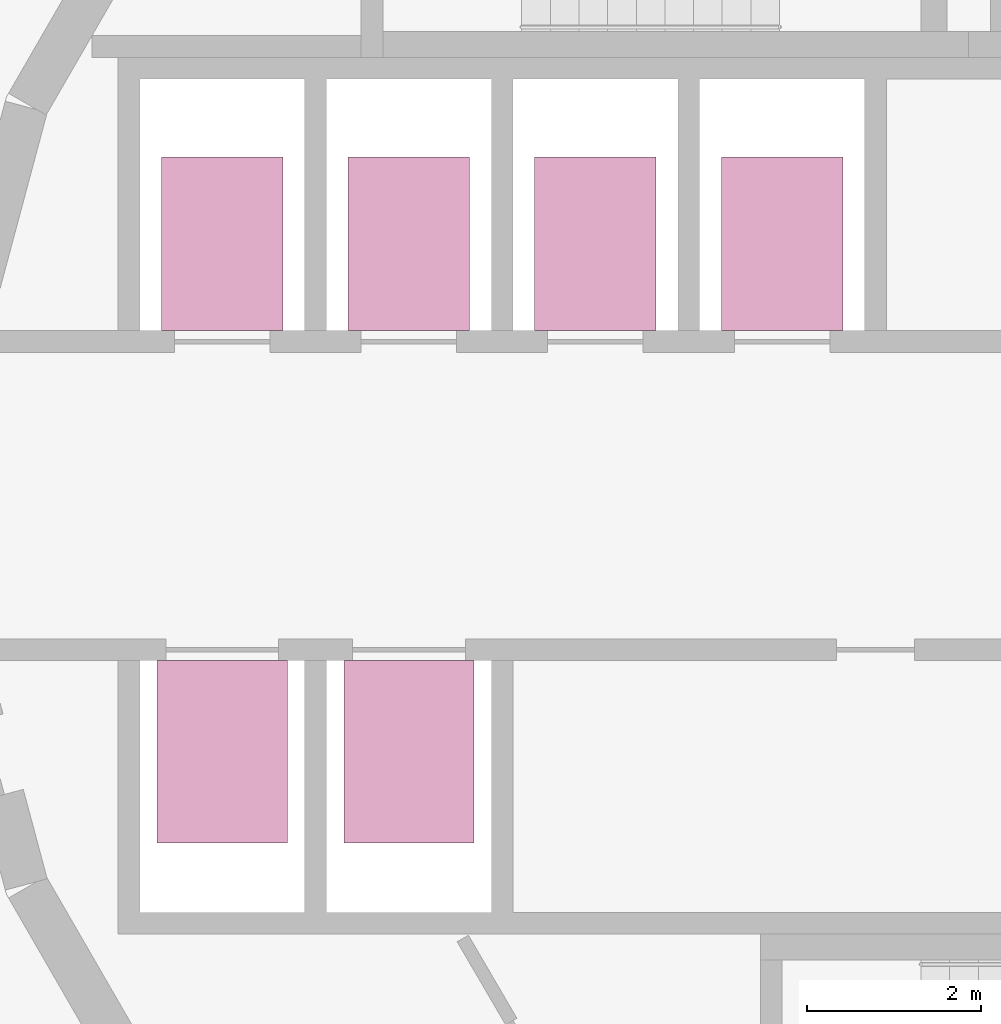
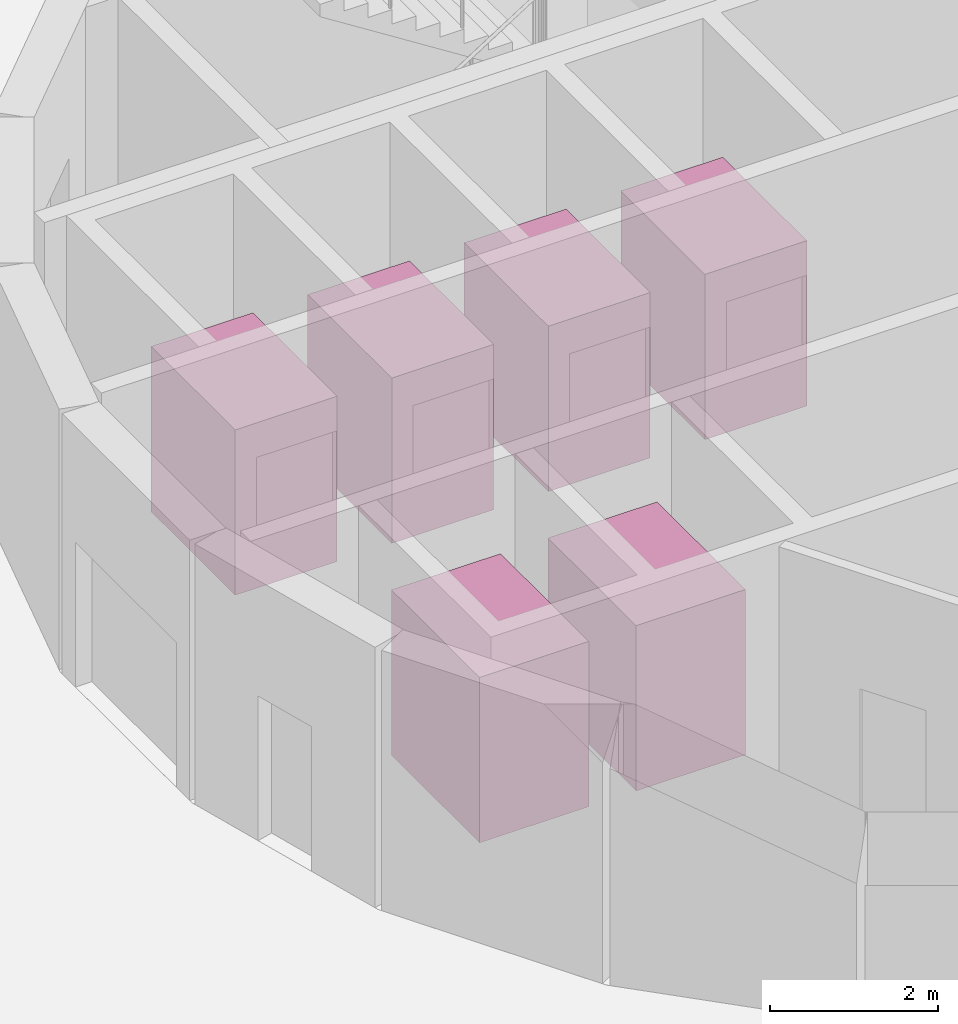
# One storey, part 10 of 10: 6 transport elements.
"""IFC4 building model written with IfcOpenShell, lengths in metres."""

from ifc_helpers import new_model, si_unit, direction, frame, origin, origin_2d, place, context, subcontext, project, spatial, rectangle, extrude, material, type_object, element, save


model = new_model("IFC4")

# Units and contexts
model_context = context("Model", 3, precision=1e-05, world=origin(), true_north=direction((0.0, 1.0)))
body_context = subcontext(model_context, "Body", "Model", "MODEL_VIEW")
ifc_project = project(units=[si_unit("LENGTHUNIT", "METRE"), si_unit("AREAUNIT", "SQUARE_METRE"), si_unit("VOLUMEUNIT", "CUBIC_METRE"), si_unit("PLANEANGLEUNIT", "RADIAN"), si_unit("MASSUNIT", "GRAM", prefix="KILO")], contexts=[model_context])

# Site, building, storey
site_placement = place(None, origin())
site = spatial("IfcSite", under=ifc_project, at=site_placement, CompositionType="ELEMENT")
building_placement = place(site_placement, origin())
building = spatial("IfcBuilding", under=site, at=building_placement, Name="Spindle Arch Residences", CompositionType="ELEMENT")
storey_placement = place(building_placement, frame((0.0, 0.0, -4.199951171875)))
storey = spatial("IfcBuildingStorey", under=building, at=storey_placement, Name="B1", CompositionType="ELEMENT", Elevation=-4.199951171875)

# Transport elements
ifc_material_1 = material(Name="Stainless steel", Category="steel")
transport_element_type_1 = type_object("IfcTransportElementType", Name="Express shuttle car 1500x2100", PredefinedType="ELEVATOR", material=ifc_material_1)
for number, where, z_axis, x_axis, name in (
    (1, (-8.60009765625, -2.949951171875, 0.0), (0.0, 0.0, 1.0), (1.0, 0.0, 0.0), "Express shuttle SH1"),
    (2, (-6.449951171875, -2.949951171875, 0.0), (0.0, 0.0, 1.0), (1.0, 0.0, 0.0), "Express shuttle SH2"),
):
    element("IfcTransportElement", number, at=place(storey_placement, frame(where, z_axis=z_axis, x_axis=x_axis)), inside=storey, type_object=transport_element_type_1, Name=name, PredefinedType="ELEVATOR", context=body_context, shape_type="SweptSolid", body=[
        extrude(rectangle(XDim=1.5, YDim=2.10009765625, at=origin_2d()), origin(), (0.0, 0.0, 1.0), 2.39990234375),
    ])
ifc_material_2 = material(Name="Stainless steel", Category="steel")
transport_element_type_2 = type_object("IfcTransportElementType", Name="Passenger lift car 1400x2000", PredefinedType="ELEVATOR", material=ifc_material_2)
for number, where, z_axis, x_axis, name in (
    (3, (-8.60009765625, 2.89990234375, 0.0), (0.0, 0.0, 1.0), (1.0, 0.0, 0.0), "Passenger lift LB1"),
    (4, (-6.449951171875, 2.89990234375, 0.0), (0.0, 0.0, 1.0), (1.0, 0.0, 0.0), "Passenger lift LB2"),
    (5, (-4.300048828125, 2.89990234375, 0.0), (0.0, 0.0, 1.0), (1.0, 0.0, 0.0), "Passenger lift LB3"),
    (6, (-2.14990234375, 2.89990234375, 0.0), (0.0, 0.0, 1.0), (1.0, 0.0, 0.0), "Passenger lift LB4"),
):
    element("IfcTransportElement", number, at=place(storey_placement, frame(where, z_axis=z_axis, x_axis=x_axis)), inside=storey, type_object=transport_element_type_2, Name=name, PredefinedType="ELEVATOR", context=body_context, shape_type="SweptSolid", body=[
        extrude(rectangle(XDim=1.39990234375, YDim=2.0, at=origin_2d()), origin(), (0.0, 0.0, 1.0), 2.39990234375),
    ])

save(model, "model.ifc")
